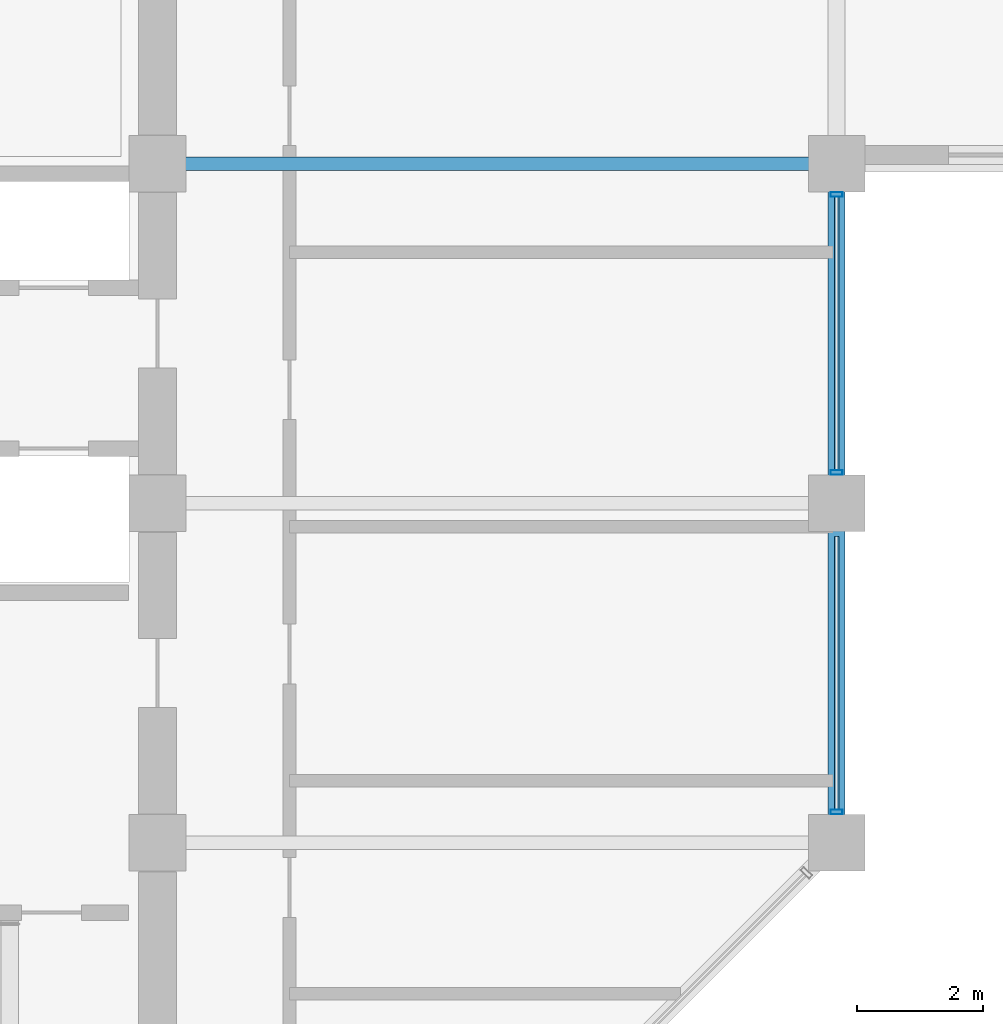
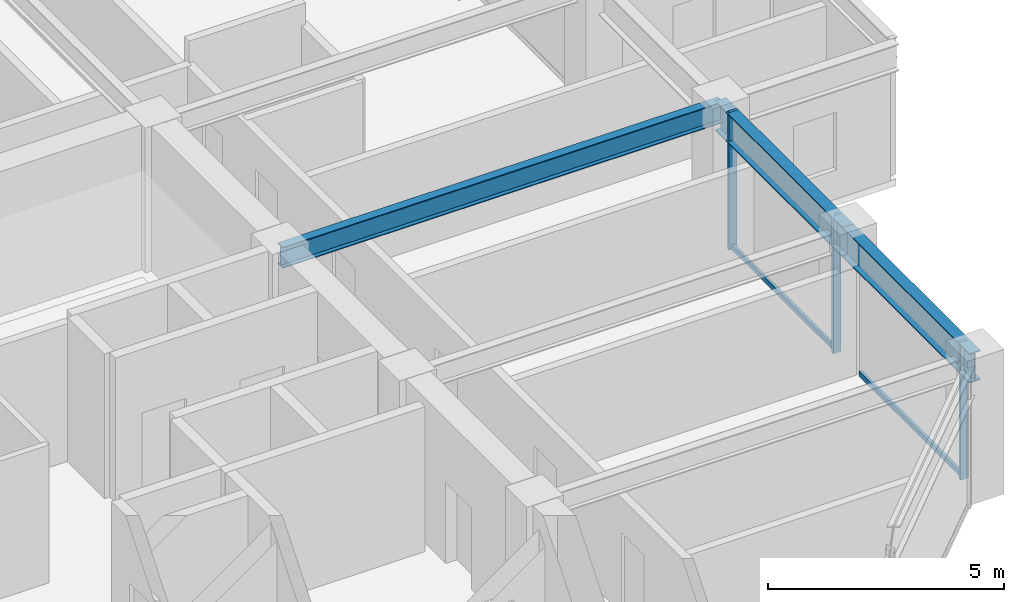
# One storey, part 11 of 28: 5 members, 3 beams, 1 element without a shape of its own.
"""IFC4 building model written with IfcOpenShell, lengths in metres."""

import ifcopenshell
import ifcopenshell.guid

model = None  # the IFC model being written
_history = None  # IfcOwnerHistory: only IFC2X3 demands one
_inside = {}  # id of a spatial element -> (the spatial element, [elements in it])
_under = {}  # id of a project, library or spatial element -> (it, [spatial elements below it])
_declared = {}  # id of a project -> (the project, [libraries it declares])
_typed = {}  # id of a type object -> (the type object, [elements of that type])
_made_of = {}  # id of a material, layer set ... -> (it, [elements and type objects made of it])


def new_model(schema):
    """Start an empty IFC model of exactly this schema.

    Asked for "IFC4X3", IfcOpenShell would pick the latest addendum, in which some entities
    have other attributes; the version numbers below select the first issue.
    IFC2X3 requires an IfcOwnerHistory on every rooted entity: one is made here for all.
    """
    global model, _history
    if schema == "IFC4X3":
        model = ifcopenshell.file(schema_version=(4, 3, 0, 0))
    else:
        model = ifcopenshell.file(schema=schema)
    _inside.clear()
    _under.clear()
    _declared.clear()
    _typed.clear()
    _made_of.clear()
    _history = None
    if model.schema == "IFC2X3":
        org = make("IfcOrganization", Name="unknown")
        user = make(
            "IfcPersonAndOrganization",
            ThePerson=make("IfcPerson", FamilyName="unknown"),
            TheOrganization=org,
        )
        app = make(
            "IfcApplication",
            ApplicationDeveloper=org,
            Version="unknown",
            ApplicationFullName="unknown",
            ApplicationIdentifier="unknown",
        )
        _history = make(
            "IfcOwnerHistory",
            OwningUser=user,
            OwningApplication=app,
            ChangeAction="ADDED",
            CreationDate=0,
        )
    return model


def make(cls, **values):
    """One entity of the class cls with the attributes given. An attribute that is None is left unset."""
    return model.create_entity(
        cls, **{name: value for name, value in values.items() if value is not None}
    )


def rooted(cls, **values):
    """An entity with a GlobalId (a new one), such as an element, a storey or a relation."""
    return make(cls, GlobalId=ifcopenshell.guid.new(), OwnerHistory=_history, **values)


def si_unit(unit_type, name, prefix=None):
    """IfcSIUnit, for example si_unit("LENGTHUNIT", "METRE", prefix="MILLI")."""
    return make("IfcSIUnit", UnitType=unit_type, Prefix=prefix, Name=name)


def assignment(units):
    """IfcUnitAssignment: the units of a project."""
    return None if units is None else make("IfcUnitAssignment", Units=units)


def point(xyz):
    """IfcCartesianPoint."""
    return None if xyz is None else make("IfcCartesianPoint", Coordinates=xyz)


def direction(xyz):
    """IfcDirection."""
    return None if xyz is None else make("IfcDirection", DirectionRatios=xyz)


def frame(location, z_axis=None, x_axis=None):
    """IfcAxis2Placement3D, a coordinate frame: its origin and axes. An axis left out is left unset."""
    return make(
        "IfcAxis2Placement3D",
        Location=point(location),
        Axis=direction(z_axis),
        RefDirection=direction(x_axis),
    )


def frame_2d(location, x_axis=None):
    """IfcAxis2Placement2D, a coordinate frame in the plane: its origin and x axis."""
    return make(
        "IfcAxis2Placement2D", Location=point(location), RefDirection=direction(x_axis)
    )


def origin():
    """The frame at (0, 0, 0) with its axes left unset."""
    return frame((0.0, 0.0, 0.0))


def origin_2d():
    """The frame at (0, 0) in the plane with its x axis left unset."""
    return frame_2d((0.0, 0.0))


def place(relative_to, where):
    """IfcLocalPlacement: puts the frame where relative to a parent placement (None: the world)."""
    return make(
        "IfcLocalPlacement", PlacementRelTo=relative_to, RelativePlacement=where
    )


def context(
    kind, dimensions, precision=None, world=None, true_north=None, identifier=None
):
    """IfcGeometricRepresentationContext, for example the 3D "Model" context."""
    return make(
        "IfcGeometricRepresentationContext",
        ContextIdentifier=identifier,
        ContextType=kind,
        CoordinateSpaceDimension=dimensions,
        Precision=precision,
        WorldCoordinateSystem=world,
        TrueNorth=true_north,
    )


def subcontext(parent, identifier, kind, view, scale=None):
    """IfcGeometricRepresentationSubContext, for example "Body" below "Model"."""
    return make(
        "IfcGeometricRepresentationSubContext",
        ContextIdentifier=identifier,
        ContextType=kind,
        ParentContext=parent,
        TargetScale=scale,
        TargetView=view,
    )


def project(units=None, contexts=None):
    """IfcProject with its units and contexts."""
    return rooted(
        "IfcProject",
        Name="project",
        RepresentationContexts=contexts,
        UnitsInContext=assignment(units),
    )


def spatial(cls, under=None, at=None, **own):
    """A site, building, storey or space (cls), placed at a placement, below another one or the project."""
    s = rooted(cls, ObjectPlacement=at, **own)
    if under is not None:
        _under.setdefault(under.id(), (under, []))[1].append(s)
    return s


def profile(cls, at=None, kind="AREA", **sizes):
    """A parametric profile (cls). Its sizes go by their IFC names, for example OverallWidth=200.0."""
    return make(cls, ProfileType=kind, Position=at, **sizes)


def hollow_rectangle(**sizes):
    """IfcRectangleHollowProfileDef."""
    return profile("IfcRectangleHollowProfileDef", **sizes)


def i_section(**sizes):
    """IfcIShapeProfileDef."""
    return profile("IfcIShapeProfileDef", **sizes)


def extrude(swept, where, along, depth):
    """IfcExtrudedAreaSolid: the profile swept, set in the frame where, extruded along a direction by depth."""
    return make(
        "IfcExtrudedAreaSolid",
        SweptArea=swept,
        Position=where,
        ExtrudedDirection=direction(along),
        Depth=depth,
    )


def shape(context_of_items, identifier, shape_type, items):
    """IfcShapeRepresentation: the items that make up one representation, for example the "Body"."""
    return make(
        "IfcShapeRepresentation",
        ContextOfItems=context_of_items,
        RepresentationIdentifier=identifier,
        RepresentationType=shape_type,
        Items=items,
    )


def material(Name=None, Category=None):
    """IfcMaterial."""
    return make("IfcMaterial", Name=Name, Category=Category)


def layer(
    of_material, thickness, ventilated=None, Name=None, Category=None, Priority=None
):
    """IfcMaterialLayer: one layer of a wall or slab, of a material (None: an air gap)."""
    return make(
        "IfcMaterialLayer",
        Material=of_material,
        LayerThickness=thickness,
        IsVentilated=ventilated,
        Name=Name,
        Category=Category,
        Priority=Priority,
    )


def layer_set(layers, Name=None):
    """IfcMaterialLayerSet."""
    return make("IfcMaterialLayerSet", MaterialLayers=layers, LayerSetName=Name)


def material_profile(
    of_material, cross_section, Name=None, Category=None, Priority=None
):
    """IfcMaterialProfile: a cross section and its material."""
    return make(
        "IfcMaterialProfile",
        Name=Name,
        Material=of_material,
        Profile=cross_section,
        Priority=Priority,
        Category=Category,
    )


def profile_set(profiles, Name=None, composite=None):
    """IfcMaterialProfileSet."""
    return make(
        "IfcMaterialProfileSet",
        Name=Name,
        MaterialProfiles=profiles,
        CompositeProfile=composite,
    )


def made_of(thing, what):
    """Note that an element or type object is made of a material, layer set ...; save() writes the relation."""
    if what is not None:
        _made_of.setdefault(what.id(), (what, []))[1].append(thing)
    return thing


def type_object(cls, material=None, **own):
    """A type object (cls), such as IfcWallType, which elements share."""
    return made_of(rooted(cls, **own), material)


def element(
    cls,
    number,
    at=None,
    inside=None,
    cuts=None,
    type_object=None,
    material=None,
    context=None,
    identifier="Body",
    shape_type=None,
    held_by="IfcProductDefinitionShape",
    body=None,
    shapes=None,
    **own,
):
    """One element of the class cls, such as IfcWall. Its Tag is "e" and its number.

    at: its placement. inside: the storey or other place that contains it. cuts: it is an
    opening in that element (IfcRelVoidsElement). A single representation is given by context,
    identifier, shape_type and body (its items); several are given by shapes. held_by: the class
    of the entity that holds the representations. save() writes the other relations.
    """
    e = rooted(cls, Tag="e%d" % number, ObjectPlacement=at, **own)
    if body is not None:
        shapes = [shape(context, identifier, shape_type, body)]
    if shapes is not None:
        e.Representation = make(held_by, Representations=shapes)
    if inside is not None:
        _inside.setdefault(inside.id(), (inside, []))[1].append(e)
    if cuts is not None:
        rooted(
            "IfcRelVoidsElement", RelatingBuildingElement=cuts, RelatedOpeningElement=e
        )
    if type_object is not None:
        _typed.setdefault(type_object.id(), (type_object, []))[1].append(e)
    return made_of(e, material)


def aggregate(whole, parts):
    """IfcRelAggregates: a whole, such as a stair, and the parts it consists of."""
    return rooted("IfcRelAggregates", RelatingObject=whole, RelatedObjects=parts)


def save(model, path):
    """Write the relations noted so far, then the file.

    IfcRelAggregates (storeys below a building ...), IfcRelContainedInSpatialStructure (elements
    in a storey), IfcRelDefinesByType, IfcRelAssociatesMaterial and IfcRelDeclares: one each for
    every whole, place, type object, material and project.
    """
    for whole, parts in _under.values():
        aggregate(whole, parts)
    for where, things in _inside.values():
        rooted(
            "IfcRelContainedInSpatialStructure",
            RelatedElements=things,
            RelatingStructure=where,
        )
    for kind, things in _typed.values():
        rooted("IfcRelDefinesByType", RelatedObjects=things, RelatingType=kind)
    for what, things in _made_of.values():
        rooted("IfcRelAssociatesMaterial", RelatedObjects=things, RelatingMaterial=what)
    for by, libraries in _declared.values():
        rooted("IfcRelDeclares", RelatingContext=by, RelatedDefinitions=libraries)
    model.write(path)


model = new_model("IFC4")

# Units and contexts
model_context = context("Model", 3, precision=1e-05, world=origin(), true_north=direction((0.0, 1.0)))
body_context = subcontext(model_context, "Body", "Model", "MODEL_VIEW")
ifc_project = project(units=[si_unit("LENGTHUNIT", "METRE"), si_unit("AREAUNIT", "SQUARE_METRE"), si_unit("VOLUMEUNIT", "CUBIC_METRE"), si_unit("PLANEANGLEUNIT", "RADIAN"), si_unit("MASSUNIT", "GRAM", prefix="KILO")], contexts=[model_context])

# Site, building, storey
site_placement = place(None, origin())
site = spatial("IfcSite", under=ifc_project, at=site_placement, CompositionType="ELEMENT")
building_placement = place(site_placement, origin())
building = spatial("IfcBuilding", under=site, at=building_placement, Name="Surkhivell Harbour Commons", CompositionType="ELEMENT")
storey_placement = place(building_placement, frame((0.0, 0.0, 178.5)))
storey = spatial("IfcBuildingStorey", under=building, at=storey_placement, Name="L46", CompositionType="ELEMENT", Elevation=178.5)

# Beams
ifc_material_1 = material(Name="Steel S355", Category="steel")
ifc_material_profile_1 = material_profile(ifc_material_1, i_section(OverallWidth=0.2119140625, OverallDepth=0.5439453125, WebThickness=0.0126953125, FlangeThickness=0.021240234375, at=origin_2d()), Name="UB533x210x122")
ifc_profile_set_1 = profile_set([ifc_material_profile_1], Name="Steel S355")
beam_type_1 = type_object("IfcBeamType", Name="BM-GRD-533A", PredefinedType="BEAM", material=ifc_profile_set_1)
beam_placement = place(storey_placement, frame((10.800048828125, 5.39990234375, 3.298095703125), z_axis=(1.0, 0.0, 0.0), x_axis=(0.0, 1.0, 0.0)))
element("IfcBeam", 1, at=beam_placement, inside=storey, type_object=beam_type_1, Name="L46 Cantilever Back-Span Girder (10.8,5.4)", PredefinedType="BEAM", context=body_context, shape_type="SweptSolid", body=[
    extrude(i_section(OverallWidth=0.2119140625, OverallDepth=0.5439453125, WebThickness=0.0126953125, FlangeThickness=0.021240234375, at=origin_2d()), origin(), (0.0, 0.0, 1.0), 10.800048828125),
])
ifc_material_profile_2 = material_profile(ifc_material_1, i_section(OverallWidth=0.26806640625, OverallDepth=0.77001953125, WebThickness=0.015625, FlangeThickness=0.025390625, at=origin_2d()), Name="UB762x267x197")
ifc_profile_set_2 = profile_set([ifc_material_profile_2], Name="Steel S355")
beam_type_2 = type_object("IfcBeamType", Name="BM-SPN-762", PredefinedType="SPANDREL", material=ifc_profile_set_2)
for number, where, z_axis, x_axis, name in (
    (2, (21.60009765625, -5.39990234375, 3.18505859375), (0.0, 1.0, 0.0), (-1.0, 0.0, 0.0), "L46 Tube Spandrel (21.6,-5.4)"),
    (3, (21.60009765625, 0.0, 3.18505859375), (0.0, 1.0, 0.0), (-1.0, 0.0, 0.0), "L46 Tube Spandrel (21.6,0.0)"),
):
    element("IfcBeam", number, at=place(storey_placement, frame(where, z_axis=z_axis, x_axis=x_axis)), inside=storey, type_object=beam_type_2, Name=name, PredefinedType="SPANDREL", context=body_context, shape_type="SweptSolid", body=[
        extrude(i_section(OverallWidth=0.26806640625, OverallDepth=0.77001953125, WebThickness=0.015625, FlangeThickness=0.025390625, at=origin_2d()), origin(), (0.0, 0.0, 1.0), 5.39990234375),
    ])

# Curtain wall, members
ifc_material_2 = material(Name="Anodised pale-metal aluminium and insulated glazing", Category="aluminium")
ifc_layer = layer(ifc_material_2, 0.18994140625)
ifc_layer_set = layer_set([ifc_layer], Name="Anodised pale-metal aluminium and insulated glazing")
curtain_wall_type = type_object("IfcCurtainWallType", Name="CW-SYS-Z3", PredefinedType="NOTDEFINED", material=ifc_layer_set)
curtain_wall_placement = place(storey_placement, origin())
curtain_wall = element("IfcCurtainWall", 4, at=curtain_wall_placement, inside=storey, type_object=curtain_wall_type, Name="L46 Curtain Wall CW-L46-E02R1", PredefinedType="NOTDEFINED")
ifc_material_3 = material(Name="Anodised pale-metal aluminium alloy 6063-T6", Category="aluminium")
ifc_material_profile_3 = material_profile(ifc_material_3, hollow_rectangle(XDim=0.074951171875, YDim=0.18994140625, WallThickness=0.00390625, at=origin_2d()), Name="ALU-MULL-75x190")
ifc_profile_set_3 = profile_set([ifc_material_profile_3], Name="Anodised pale-metal aluminium alloy 6063-T6")
member_type_1 = type_object("IfcMemberType", Name="CWM-190", PredefinedType="MULLION", material=ifc_profile_set_3)
member_1_placement = place(storey_placement, frame((21.60009765625, -4.910400390625, 0.0), z_axis=(0.0, 0.0, 1.0), x_axis=(0.0, 1.0, 0.0)))
member_1 = element("IfcMember", 5, at=member_1_placement, type_object=member_type_1, Name="CW-Z3 mullion 1", PredefinedType="MULLION", context=body_context, shape_type="SweptSolid", body=[
    extrude(hollow_rectangle(XDim=0.074951171875, YDim=0.18994140625, WallThickness=0.00390625, at=origin_2d()), origin(), (0.0, 0.0, 1.0), 3.570068359375),
])
member_2_placement = place(storey_placement, frame((21.60009765625, 0.489501953125, 0.0), z_axis=(0.0, 0.0, 1.0), x_axis=(0.0, 1.0, 0.0)))
member_2 = element("IfcMember", 6, at=member_2_placement, type_object=member_type_1, Name="CW-Z3 mullion 2", PredefinedType="MULLION", context=body_context, shape_type="SweptSolid", body=[
    extrude(hollow_rectangle(XDim=0.074951171875, YDim=0.18994140625, WallThickness=0.00390625, at=origin_2d()), origin(), (0.0, 0.0, 1.0), 3.570068359375),
])
member_3_placement = place(storey_placement, frame((21.60009765625, 4.910400390625, 0.0), z_axis=(0.0, 0.0, 1.0), x_axis=(0.0, 1.0, 0.0)))
member_3 = element("IfcMember", 7, at=member_3_placement, type_object=member_type_1, Name="CW-Z3 mullion 3", PredefinedType="MULLION", context=body_context, shape_type="SweptSolid", body=[
    extrude(hollow_rectangle(XDim=0.074951171875, YDim=0.18994140625, WallThickness=0.00390625, at=origin_2d()), origin(), (0.0, 0.0, 1.0), 3.570068359375),
])
ifc_material_4 = material(Name="Champagne anodised aluminium alloy 6063-T6", Category="aluminium")
ifc_material_profile_4 = material_profile(ifc_material_4, hollow_rectangle(XDim=0.070068359375, YDim=0.1298828125, WallThickness=0.00341796875, at=origin_2d()), Name="ALU-TRAN-70x130")
ifc_profile_set_4 = profile_set([ifc_material_profile_4], Name="Champagne anodised aluminium alloy 6063-T6")
member_type_2 = type_object("IfcMemberType", Name="CWT-130", PredefinedType="USERDEFINED", material=ifc_profile_set_4)
member_4_placement = place(storey_placement, frame((21.60009765625, -4.873046875, 0.06494140625), z_axis=(0.0, 1.0, 0.0), x_axis=(-1.0, 0.0, 0.0)))
member_4 = element("IfcMember", 8, at=member_4_placement, type_object=member_type_2, Name="CW-Z3 transom 1.1", ObjectType="TRANSOM", PredefinedType="USERDEFINED", context=body_context, shape_type="SweptSolid", body=[
    extrude(hollow_rectangle(XDim=0.070068359375, YDim=0.1298828125, WallThickness=0.00341796875, at=origin_2d()), origin(), (0.0, 0.0, 1.0), 4.345947265625),
])
member_5_placement = place(storey_placement, frame((21.60009765625, 0.527099609375, 0.06494140625), z_axis=(0.0, 1.0, 0.0), x_axis=(-1.0, 0.0, 0.0)))
member_5 = element("IfcMember", 9, at=member_5_placement, type_object=member_type_2, Name="CW-Z3 transom 2.1", ObjectType="TRANSOM", PredefinedType="USERDEFINED", context=body_context, shape_type="SweptSolid", body=[
    extrude(hollow_rectangle(XDim=0.070068359375, YDim=0.1298828125, WallThickness=0.00341796875, at=origin_2d()), origin(), (0.0, 0.0, 1.0), 4.345947265625),
])
aggregate(curtain_wall, [member_1, member_4, member_2, member_3, member_5])

save(model, "model.ifc")
